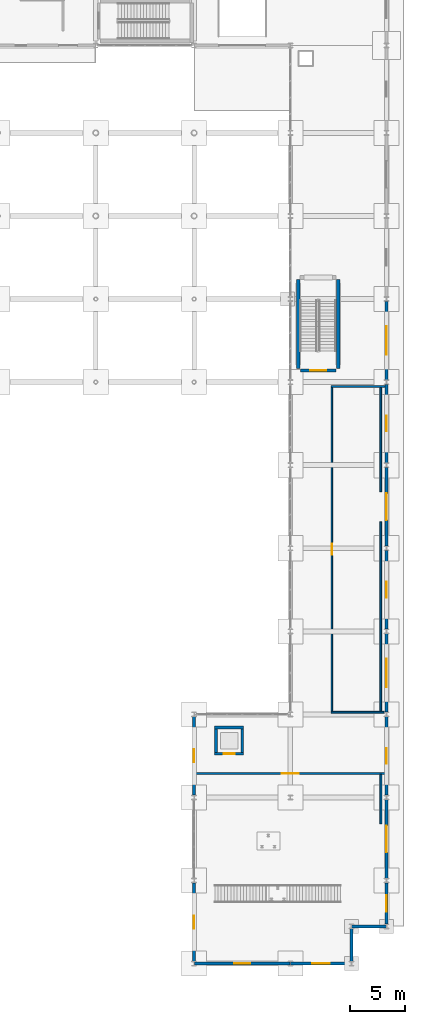
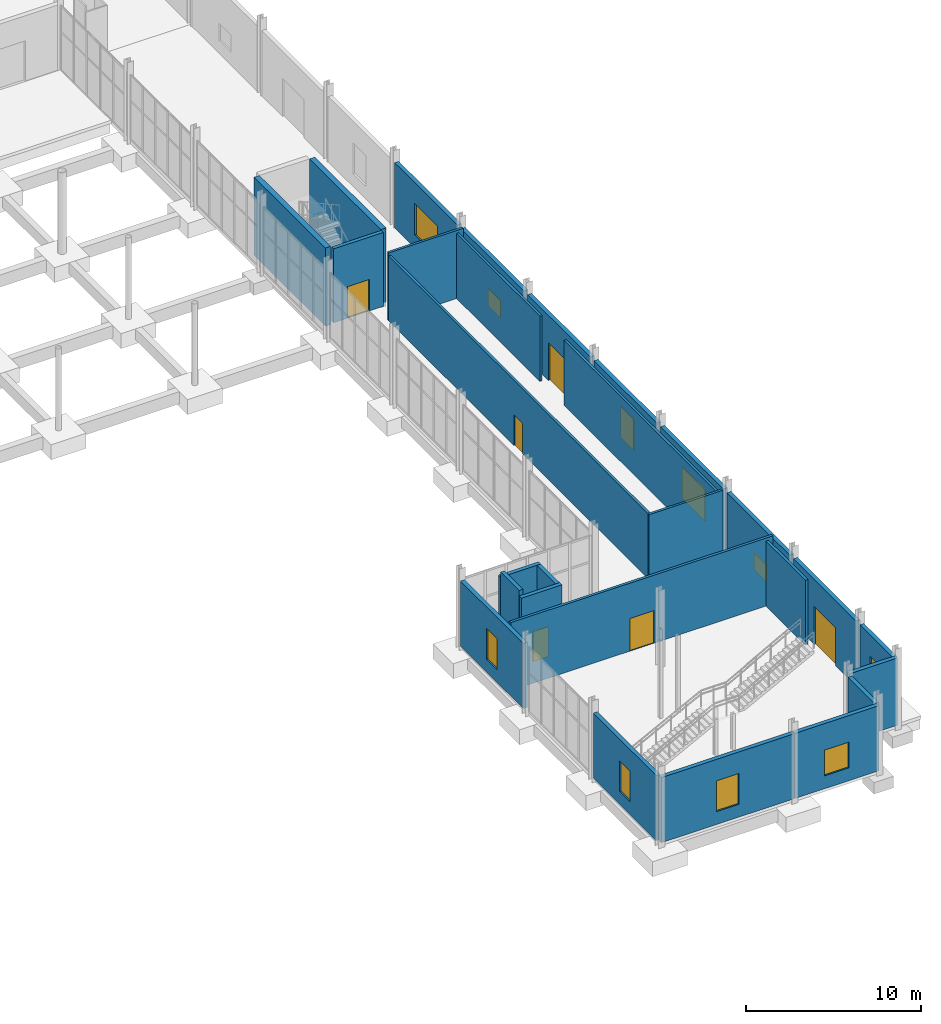
# One storey, part 78 of 95: 28 walls, 10 windows, 6 doors, 16 openings.
"""IFC4 building model written with IfcOpenShell, lengths in metres."""

from ifc_helpers import new_model, si_unit, direction, frame, frame_2d, origin, place, context, subcontext, project, spatial, rectangle, extrude, material, layer, layer_set, type_object, element, fill, save


model = new_model("IFC4")

# Units and contexts
model_context = context("Model", 3, precision=1e-05, world=origin(), true_north=direction((0.0, 1.0)))
body_context = subcontext(model_context, "Body", "Model", "MODEL_VIEW")
ifc_project = project(units=[si_unit("LENGTHUNIT", "METRE"), si_unit("AREAUNIT", "SQUARE_METRE"), si_unit("VOLUMEUNIT", "CUBIC_METRE"), si_unit("PLANEANGLEUNIT", "RADIAN"), si_unit("MASSUNIT", "GRAM", prefix="KILO")], contexts=[model_context])

# Site, building, storey
site_placement = place(None, origin())
site = spatial("IfcSite", under=ifc_project, at=site_placement, CompositionType="ELEMENT")
building_placement = place(site_placement, origin())
building = spatial("IfcBuilding", under=site, at=building_placement, Name="Shengluoqiao Park Theatre", CompositionType="ELEMENT")
storey_placement = place(building_placement, origin())
storey = spatial("IfcBuildingStorey", under=building, at=storey_placement, Name="L00", CompositionType="ELEMENT", Elevation=0.0)

# Wall, opening, window
ifc_material_1 = material(Name="Concrete C40", Category="concrete")
ifc_layer_1 = layer(ifc_material_1, 0.27001953125, Name="Concrete C40")
ifc_layer_set_1 = layer_set([ifc_layer_1], Name="Concrete C40")
wall_type_1 = type_object("IfcWallType", Name="ENV-WL-CONC270", PredefinedType="STANDARD", material=ifc_layer_set_1)
wall_1_placement = place(storey_placement, frame((166.0, 3.60400390625, 0.0), z_axis=(0.0, 0.0, 1.0), x_axis=(0.0, 1.0, 0.0)))
wall_1 = element("IfcWall", 1, at=wall_1_placement, inside=storey, type_object=wall_type_1, Name="L00 Exterior Wall 0171", PredefinedType="STANDARD", context=body_context, shape_type="SweptSolid", body=[
    extrude(rectangle(XDim=3.7919921875, YDim=0.27001953125, at=frame_2d((1.89599609375, 0.0))), origin(), (0.0, 0.0, 1.0), 4.550048828125),
])
opening_1_placement = place(wall_1_placement, frame((1.14599609375, 0.0, 0.89990234375)))
opening_1 = element("IfcOpeningElement", 2, at=opening_1_placement, cuts=wall_1, Name="Opening W-03", PredefinedType="OPENING", context=body_context, shape_type="SweptSolid", body=[
    extrude(rectangle(XDim=1.5, YDim=2.14990234375, at=frame_2d((0.75, 1.074951171875))), frame((0.0, 0.14501953125, 0.0), z_axis=(0.0, -1.0, 0.0), x_axis=(1.0, 0.0, 0.0)), (0.0, 0.0, 1.0), 0.2900390625),
])
ifc_material_2 = material(Name="Insulated glass", Category="glass")
window_type_1 = type_object("IfcWindowType", Name="ENV-WIN-W03", PartitioningType="DOUBLE_PANEL_VERTICAL", PredefinedType="WINDOW", material=ifc_material_2)
window_1_placement = place(opening_1_placement, origin())
window_1 = element("IfcWindow", 3, at=window_1_placement, inside=storey, type_object=window_type_1, Name="L00 Acoustic Window 0023", OverallHeight=2.14990234375, OverallWidth=1.5, PartitioningType="DOUBLE_PANEL_VERTICAL", PredefinedType="WINDOW", context=body_context, shape_type="SweptSolid", body=[
    extrude(rectangle(XDim=1.5, YDim=2.14990234375, at=frame_2d((0.75, 1.074951171875))), frame((0.0, 0.030029296875, 0.0), z_axis=(0.0, -1.0, 0.0), x_axis=(1.0, 0.0, 0.0)), (0.0, 0.0, 1.0), 0.06005859375),
])
fill(opening_1, window_1)

# Wall, opening, door
wall_2_placement = place(storey_placement, frame((166.0, 7.803955078125, 0.0), z_axis=(0.0, 0.0, 1.0), x_axis=(0.0, 1.0, 0.0)))
wall_2 = element("IfcWall", 4, at=wall_2_placement, inside=storey, type_object=wall_type_1, Name="L00 Exterior Wall 0172", PredefinedType="STANDARD", context=body_context, shape_type="SweptSolid", body=[
    extrude(rectangle(XDim=7.192138671875, YDim=0.27001953125, at=frame_2d((3.59619140625, 0.0))), origin(), (0.0, 0.0, 1.0), 4.550048828125),
])
opening_2_placement = place(wall_2_placement, frame((2.37109375, 0.0, 0.0)))
opening_2 = element("IfcOpeningElement", 5, at=opening_2_placement, cuts=wall_2, Name="Opening ED-ART-018", PredefinedType="OPENING", context=body_context, shape_type="SweptSolid", body=[
    extrude(rectangle(XDim=2.449951171875, YDim=2.64990234375, at=frame_2d((1.22509765625, 1.324951171875))), frame((0.0, 0.14501953125, 0.0), z_axis=(0.0, -1.0, 0.0), x_axis=(1.0, 0.0, 0.0)), (0.0, 0.0, 1.0), 0.2900390625),
])
ifc_material_3 = material(Name="Aluminium 6063-T6", Category="aluminium")
door_type_1 = type_object("IfcDoorType", Name="ENV-DR-EX245", OperationType="DOUBLE_DOOR_SINGLE_SWING", PredefinedType="DOOR", material=ifc_material_3)
door_1_placement = place(opening_2_placement, origin())
door_1 = element("IfcDoor", 6, at=door_1_placement, inside=storey, type_object=door_type_1, Name="Artist Stage-Door Entrance ED-ART-018", OperationType="DOUBLE_DOOR_SINGLE_SWING", OverallHeight=2.64990234375, OverallWidth=2.449951171875, PredefinedType="DOOR", context=body_context, shape_type="SweptSolid", body=[
    extrude(rectangle(XDim=2.449951171875, YDim=2.64990234375, at=frame_2d((1.22509765625, 1.324951171875))), frame((0.0, 0.02490234375, 0.0), z_axis=(0.0, -1.0, 0.0), x_axis=(1.0, 0.0, 0.0)), (0.0, 0.0, 1.0), 0.050048828125),
])
fill(opening_2, door_1)

# Wall, opening, window
wall_3_placement = place(storey_placement, frame((166.0, 15.404052734375, 0.0), z_axis=(0.0, 0.0, 1.0), x_axis=(0.0, 1.0, 0.0)))
wall_3 = element("IfcWall", 7, at=wall_3_placement, inside=storey, type_object=wall_type_1, Name="L00 Exterior Wall 0173", PredefinedType="STANDARD", context=body_context, shape_type="SweptSolid", body=[
    extrude(rectangle(XDim=7.19189453125, YDim=0.27001953125, at=frame_2d((3.595947265625, 0.0))), origin(), (0.0, 0.0, 1.0), 4.550048828125),
])
opening_3_placement = place(wall_3_placement, frame((2.89599609375, 0.0, 0.89990234375)))
opening_3 = element("IfcOpeningElement", 8, at=opening_3_placement, cuts=wall_3, Name="Opening W-12", PredefinedType="OPENING", context=body_context, shape_type="SweptSolid", body=[
    extrude(rectangle(XDim=1.39990234375, YDim=1.199951171875, at=frame_2d((0.699951171875, 0.60009765625))), frame((0.0, 0.14501953125, 0.0), z_axis=(0.0, -1.0, 0.0), x_axis=(1.0, 0.0, 0.0)), (0.0, 0.0, 1.0), 0.2900390625),
])
window_type_2 = type_object("IfcWindowType", Name="ENV-WIN-W12", PartitioningType="SINGLE_PANEL", PredefinedType="WINDOW", material=ifc_material_2)
window_2_placement = place(opening_3_placement, origin())
window_2 = element("IfcWindow", 9, at=window_2_placement, inside=storey, type_object=window_type_2, Name="L00 Acoustic Window 0024", OverallHeight=1.199951171875, OverallWidth=1.39990234375, PartitioningType="SINGLE_PANEL", PredefinedType="WINDOW", context=body_context, shape_type="SweptSolid", body=[
    extrude(rectangle(XDim=1.39990234375, YDim=1.199951171875, at=frame_2d((0.699951171875, 0.60009765625))), frame((0.0, 0.030029296875, 0.0), z_axis=(0.0, -1.0, 0.0), x_axis=(1.0, 0.0, 0.0)), (0.0, 0.0, 1.0), 0.06005859375),
])
fill(opening_3, window_2)

wall_4_placement = place(storey_placement, frame((166.0, 23.00390625, 0.0), z_axis=(0.0, 0.0, 1.0), x_axis=(0.0, 1.0, 0.0)))
wall_4 = element("IfcWall", 10, at=wall_4_placement, inside=storey, type_object=wall_type_1, Name="L00 Exterior Wall 0174", PredefinedType="STANDARD", context=body_context, shape_type="SweptSolid", body=[
    extrude(rectangle(XDim=7.192138671875, YDim=0.27001953125, at=frame_2d((3.59619140625, 0.0))), origin(), (0.0, 0.0, 1.0), 4.550048828125),
])
opening_4_placement = place(wall_4_placement, frame((2.2958984375, 0.0, 0.89990234375)))
opening_4 = element("IfcOpeningElement", 11, at=opening_4_placement, cuts=wall_4, Name="Opening W-14", PredefinedType="OPENING", context=body_context, shape_type="SweptSolid", body=[
    extrude(rectangle(XDim=2.60009765625, YDim=2.199951171875, at=frame_2d((1.300048828125, 1.10009765625))), frame((0.0, 0.14501953125, 0.0), z_axis=(0.0, -1.0, 0.0), x_axis=(1.0, 0.0, 0.0)), (0.0, 0.0, 1.0), 0.2900390625),
])
window_type_3 = type_object("IfcWindowType", Name="ENV-WIN-W14", PartitioningType="DOUBLE_PANEL_VERTICAL", PredefinedType="WINDOW", material=ifc_material_2)
window_3_placement = place(opening_4_placement, origin())
window_3 = element("IfcWindow", 12, at=window_3_placement, inside=storey, type_object=window_type_3, Name="L00 Acoustic Window 0025", OverallHeight=2.199951171875, OverallWidth=2.60009765625, PartitioningType="DOUBLE_PANEL_VERTICAL", PredefinedType="WINDOW", context=body_context, shape_type="SweptSolid", body=[
    extrude(rectangle(XDim=2.60009765625, YDim=2.199951171875, at=frame_2d((1.300048828125, 1.10009765625))), frame((0.0, 0.030029296875, 0.0), z_axis=(0.0, -1.0, 0.0), x_axis=(1.0, 0.0, 0.0)), (0.0, 0.0, 1.0), 0.06005859375),
])
fill(opening_4, window_3)

wall_5_placement = place(storey_placement, frame((166.0, 30.60400390625, 0.0), z_axis=(0.0, 0.0, 1.0), x_axis=(0.0, 1.0, 0.0)))
wall_5 = element("IfcWall", 13, at=wall_5_placement, inside=storey, type_object=wall_type_1, Name="L00 Exterior Wall 0175", PredefinedType="STANDARD", context=body_context, shape_type="SweptSolid", body=[
    extrude(rectangle(XDim=7.19189453125, YDim=0.27001953125, at=frame_2d((3.595947265625, 0.0))), origin(), (0.0, 0.0, 1.0), 4.550048828125),
])
opening_5_placement = place(wall_5_placement, frame((2.845947265625, 0.0, 0.89990234375)))
opening_5 = element("IfcOpeningElement", 14, at=opening_5_placement, cuts=wall_5, Name="Opening W-03", PredefinedType="OPENING", context=body_context, shape_type="SweptSolid", body=[
    extrude(rectangle(XDim=1.5, YDim=2.14990234375, at=frame_2d((0.75, 1.074951171875))), frame((0.0, 0.14501953125, 0.0), z_axis=(0.0, -1.0, 0.0), x_axis=(1.0, 0.0, 0.0)), (0.0, 0.0, 1.0), 0.2900390625),
])
window_4_placement = place(opening_5_placement, origin())
window_4 = element("IfcWindow", 15, at=window_4_placement, inside=storey, type_object=window_type_1, Name="L00 Acoustic Window 0026", OverallHeight=2.14990234375, OverallWidth=1.5, PartitioningType="DOUBLE_PANEL_VERTICAL", PredefinedType="WINDOW", context=body_context, shape_type="SweptSolid", body=[
    extrude(rectangle(XDim=1.5, YDim=2.14990234375, at=frame_2d((0.75, 1.074951171875))), frame((0.0, 0.030029296875, 0.0), z_axis=(0.0, -1.0, 0.0), x_axis=(1.0, 0.0, 0.0)), (0.0, 0.0, 1.0), 0.06005859375),
])
fill(opening_5, window_4)

# Wall, opening, door
wall_6_placement = place(storey_placement, frame((166.0, 38.2041015625, 0.0), z_axis=(0.0, 0.0, 1.0), x_axis=(0.0, 1.0, 0.0)))
wall_6 = element("IfcWall", 16, at=wall_6_placement, inside=storey, type_object=wall_type_1, Name="L00 Exterior Wall 0176", PredefinedType="STANDARD", context=body_context, shape_type="SweptSolid", body=[
    extrude(rectangle(XDim=7.19189453125, YDim=0.27001953125, at=frame_2d((3.595947265625, 0.0))), origin(), (0.0, 0.0, 1.0), 4.550048828125),
])
opening_6_placement = place(wall_6_placement, frame((2.37109375, 0.0, 0.0)))
opening_6 = element("IfcOpeningElement", 17, at=opening_6_placement, cuts=wall_6, Name="Opening ED-ART-019", PredefinedType="OPENING", context=body_context, shape_type="SweptSolid", body=[
    extrude(rectangle(XDim=2.449951171875, YDim=2.64990234375, at=frame_2d((1.22509765625, 1.324951171875))), frame((0.0, 0.14501953125, 0.0), z_axis=(0.0, -1.0, 0.0), x_axis=(1.0, 0.0, 0.0)), (0.0, 0.0, 1.0), 0.2900390625),
])
door_2_placement = place(opening_6_placement, origin())
door_2 = element("IfcDoor", 18, at=door_2_placement, inside=storey, type_object=door_type_1, Name="Artist Stage-Door Entrance ED-ART-019", OperationType="DOUBLE_DOOR_SINGLE_SWING", OverallHeight=2.64990234375, OverallWidth=2.449951171875, PredefinedType="DOOR", context=body_context, shape_type="SweptSolid", body=[
    extrude(rectangle(XDim=2.449951171875, YDim=2.64990234375, at=frame_2d((1.22509765625, 1.324951171875))), frame((0.0, 0.02490234375, 0.0), z_axis=(0.0, -1.0, 0.0), x_axis=(1.0, 0.0, 0.0)), (0.0, 0.0, 1.0), 0.050048828125),
])
fill(opening_6, door_2)

# Wall, opening, window
wall_7_placement = place(storey_placement, frame((166.0, 45.803955078125, 0.0), z_axis=(0.0, 0.0, 1.0), x_axis=(0.0, 1.0, 0.0)))
wall_7 = element("IfcWall", 19, at=wall_7_placement, inside=storey, type_object=wall_type_1, Name="L00 Exterior Wall 0177", PredefinedType="STANDARD", context=body_context, shape_type="SweptSolid", body=[
    extrude(rectangle(XDim=7.192138671875, YDim=0.27001953125, at=frame_2d((3.59619140625, 0.0))), origin(), (0.0, 0.0, 1.0), 4.550048828125),
])
opening_7_placement = place(wall_7_placement, frame((2.89599609375, 0.0, 0.89990234375)))
opening_7 = element("IfcOpeningElement", 20, at=opening_7_placement, cuts=wall_7, Name="Opening W-12", PredefinedType="OPENING", context=body_context, shape_type="SweptSolid", body=[
    extrude(rectangle(XDim=1.39990234375, YDim=1.199951171875, at=frame_2d((0.699951171875, 0.60009765625))), frame((0.0, 0.14501953125, 0.0), z_axis=(0.0, -1.0, 0.0), x_axis=(1.0, 0.0, 0.0)), (0.0, 0.0, 1.0), 0.2900390625),
])
window_5_placement = place(opening_7_placement, origin())
window_5 = element("IfcWindow", 21, at=window_5_placement, inside=storey, type_object=window_type_2, Name="L00 Acoustic Window 0027", OverallHeight=1.199951171875, OverallWidth=1.39990234375, PartitioningType="SINGLE_PANEL", PredefinedType="WINDOW", context=body_context, shape_type="SweptSolid", body=[
    extrude(rectangle(XDim=1.39990234375, YDim=1.199951171875, at=frame_2d((0.699951171875, 0.60009765625))), frame((0.0, 0.030029296875, 0.0), z_axis=(0.0, -1.0, 0.0), x_axis=(1.0, 0.0, 0.0)), (0.0, 0.0, 1.0), 0.06005859375),
])
fill(opening_7, window_5)

wall_8_placement = place(storey_placement, frame((166.0, 53.404052734375, 0.0), z_axis=(0.0, 0.0, 1.0), x_axis=(0.0, 1.0, 0.0)))
wall_8 = element("IfcWall", 22, at=wall_8_placement, inside=storey, type_object=wall_type_1, Name="L00 Exterior Wall 0178", PredefinedType="STANDARD", context=body_context, shape_type="SweptSolid", body=[
    extrude(rectangle(XDim=7.19189453125, YDim=0.27001953125, at=frame_2d((3.595947265625, 0.0))), origin(), (0.0, 0.0, 1.0), 4.550048828125),
])
opening_8_placement = place(wall_8_placement, frame((2.2958984375, 0.0, 0.89990234375)))
opening_8 = element("IfcOpeningElement", 23, at=opening_8_placement, cuts=wall_8, Name="Opening W-14", PredefinedType="OPENING", context=body_context, shape_type="SweptSolid", body=[
    extrude(rectangle(XDim=2.60009765625, YDim=2.199951171875, at=frame_2d((1.300048828125, 1.10009765625))), frame((0.0, 0.14501953125, 0.0), z_axis=(0.0, -1.0, 0.0), x_axis=(1.0, 0.0, 0.0)), (0.0, 0.0, 1.0), 0.2900390625),
])
window_6_placement = place(opening_8_placement, origin())
window_6 = element("IfcWindow", 24, at=window_6_placement, inside=storey, type_object=window_type_3, Name="L00 Acoustic Window 0028", OverallHeight=2.199951171875, OverallWidth=2.60009765625, PartitioningType="DOUBLE_PANEL_VERTICAL", PredefinedType="WINDOW", context=body_context, shape_type="SweptSolid", body=[
    extrude(rectangle(XDim=2.60009765625, YDim=2.199951171875, at=frame_2d((1.300048828125, 1.10009765625))), frame((0.0, 0.030029296875, 0.0), z_axis=(0.0, -1.0, 0.0), x_axis=(1.0, 0.0, 0.0)), (0.0, 0.0, 1.0), 0.06005859375),
])
fill(opening_8, window_6)

wall_9_placement = place(storey_placement, frame((148.41357421875, 0.0, 0.0), z_axis=(0.0, 0.0, 1.0), x_axis=(1.0, 0.0, 0.0)))
wall_9 = element("IfcWall", 25, at=wall_9_placement, inside=storey, type_object=wall_type_1, Name="L00 Exterior Wall 0275", PredefinedType="STANDARD", context=body_context, shape_type="SweptSolid", body=[
    extrude(rectangle(XDim=8.77294921875, YDim=0.27001953125, at=frame_2d((4.386474609375, 0.0))), origin(), (0.0, 0.0, 1.0), 4.550048828125),
])
opening_9_placement = place(wall_9_placement, frame((3.636474609375, 0.0, 0.89990234375)))
opening_9 = element("IfcOpeningElement", 26, at=opening_9_placement, cuts=wall_9, Name="Opening W-03", PredefinedType="OPENING", context=body_context, shape_type="SweptSolid", body=[
    extrude(rectangle(XDim=1.5, YDim=2.14990234375, at=frame_2d((0.75, 1.074951171875))), frame((0.0, 0.14501953125, 0.0), z_axis=(0.0, -1.0, 0.0), x_axis=(1.0, 0.0, 0.0)), (0.0, 0.0, 1.0), 0.2900390625),
])
window_7_placement = place(opening_9_placement, origin())
window_7 = element("IfcWindow", 27, at=window_7_placement, inside=storey, type_object=window_type_1, Name="L00 Acoustic Window 0113", OverallHeight=2.14990234375, OverallWidth=1.5, PartitioningType="DOUBLE_PANEL_VERTICAL", PredefinedType="WINDOW", context=body_context, shape_type="SweptSolid", body=[
    extrude(rectangle(XDim=1.5, YDim=2.14990234375, at=frame_2d((0.75, 1.074951171875))), frame((0.0, 0.030029296875, 0.0), z_axis=(0.0, -1.0, 0.0), x_axis=(1.0, 0.0, 0.0)), (0.0, 0.0, 1.0), 0.06005859375),
])
fill(opening_9, window_7)

wall_10_placement = place(storey_placement, frame((157.21337890625, 0.0, 0.0), z_axis=(0.0, 0.0, 1.0), x_axis=(1.0, 0.0, 0.0)))
wall_10 = element("IfcWall", 28, at=wall_10_placement, inside=storey, type_object=wall_type_1, Name="L00 Exterior Wall 0276", PredefinedType="STANDARD", context=body_context, shape_type="SweptSolid", body=[
    extrude(rectangle(XDim=5.5732421875, YDim=0.27001953125, at=frame_2d((2.78662109375, 0.0))), origin(), (0.0, 0.0, 1.0), 4.550048828125),
])
opening_10_placement = place(wall_10_placement, frame((1.986572265625, 0.0, 0.89990234375)))
opening_10 = element("IfcOpeningElement", 29, at=opening_10_placement, cuts=wall_10, Name="Opening W-06", PredefinedType="OPENING", context=body_context, shape_type="SweptSolid", body=[
    extrude(rectangle(XDim=1.60009765625, YDim=1.800048828125, at=frame_2d((0.800048828125, 0.89990234375))), frame((0.0, 0.14501953125, 0.0), z_axis=(0.0, -1.0, 0.0), x_axis=(1.0, 0.0, 0.0)), (0.0, 0.0, 1.0), 0.2900390625),
])
window_type_4 = type_object("IfcWindowType", Name="ENV-WIN-W06", PartitioningType="DOUBLE_PANEL_VERTICAL", PredefinedType="WINDOW", material=ifc_material_2)
window_8_placement = place(opening_10_placement, origin())
window_8 = element("IfcWindow", 30, at=window_8_placement, inside=storey, type_object=window_type_4, Name="L00 Acoustic Window 0114", OverallHeight=1.800048828125, OverallWidth=1.60009765625, PartitioningType="DOUBLE_PANEL_VERTICAL", PredefinedType="WINDOW", context=body_context, shape_type="SweptSolid", body=[
    extrude(rectangle(XDim=1.60009765625, YDim=1.800048828125, at=frame_2d((0.800048828125, 0.89990234375))), frame((0.0, 0.030029296875, 0.0), z_axis=(0.0, -1.0, 0.0), x_axis=(1.0, 0.0, 0.0)), (0.0, 0.0, 1.0), 0.06005859375),
])
fill(opening_10, window_8)

# Walls
wall_11_placement = place(storey_placement, frame((162.800048828125, 0.2041015625, 0.0), z_axis=(0.0, 0.0, 1.0), x_axis=(0.0, 1.0, 0.0)))
element("IfcWall", 31, at=wall_11_placement, inside=storey, type_object=wall_type_1, Name="L00 Exterior Wall 0277", PredefinedType="STANDARD", context=body_context, shape_type="SweptSolid", body=[
    extrude(rectangle(XDim=2.991943359375, YDim=0.27001953125, at=frame_2d((1.49609375, 0.0))), origin(), (0.0, 0.0, 1.0), 4.550048828125),
])
wall_12_placement = place(storey_placement, frame((162.8134765625, 3.39990234375, 0.0), z_axis=(0.0, 0.0, 1.0), x_axis=(1.0, 0.0, 0.0)))
element("IfcWall", 32, at=wall_12_placement, inside=storey, type_object=wall_type_1, Name="L00 Exterior Wall 0278", PredefinedType="STANDARD", context=body_context, shape_type="SweptSolid", body=[
    extrude(rectangle(XDim=3.173095703125, YDim=0.27001953125, at=frame_2d((1.58642578125, 0.0))), origin(), (0.0, 0.0, 1.0), 4.697998046875),
])

# Wall, opening, window
wall_13_placement = place(storey_placement, frame((148.39990234375, 0.2041015625, 0.0), z_axis=(0.0, 0.0, 1.0), x_axis=(0.0, 1.0, 0.0)))
wall_13 = element("IfcWall", 33, at=wall_13_placement, inside=storey, type_object=wall_type_1, Name="L00 Exterior Wall 0279", PredefinedType="STANDARD", context=body_context, shape_type="SweptSolid", body=[
    extrude(rectangle(XDim=7.19189453125, YDim=0.27001953125, at=frame_2d((3.595947265625, 0.0))), origin(), (0.0, 0.0, 1.0), 4.550048828125),
])
opening_11_placement = place(wall_13_placement, frame((2.99609375, 0.0, 0.89990234375)))
opening_11 = element("IfcOpeningElement", 34, at=opening_11_placement, cuts=wall_13, Name="Opening W-04", PredefinedType="OPENING", context=body_context, shape_type="SweptSolid", body=[
    extrude(rectangle(XDim=1.199951171875, YDim=2.14990234375, at=frame_2d((0.60009765625, 1.074951171875))), frame((0.0, 0.14501953125, 0.0), z_axis=(0.0, -1.0, 0.0), x_axis=(1.0, 0.0, 0.0)), (0.0, 0.0, 1.0), 0.2900390625),
])
window_type_5 = type_object("IfcWindowType", Name="ENV-WIN-W04", PartitioningType="SINGLE_PANEL", PredefinedType="WINDOW", material=ifc_material_2)
window_9_placement = place(opening_11_placement, origin())
window_9 = element("IfcWindow", 35, at=window_9_placement, inside=storey, type_object=window_type_5, Name="L00 Acoustic Window 0115", OverallHeight=2.14990234375, OverallWidth=1.199951171875, PartitioningType="SINGLE_PANEL", PredefinedType="WINDOW", context=body_context, shape_type="SweptSolid", body=[
    extrude(rectangle(XDim=1.199951171875, YDim=2.14990234375, at=frame_2d((0.60009765625, 1.074951171875))), frame((0.0, 0.030029296875, 0.0), z_axis=(0.0, -1.0, 0.0), x_axis=(1.0, 0.0, 0.0)), (0.0, 0.0, 1.0), 0.06005859375),
])
fill(opening_11, window_9)

wall_14_placement = place(storey_placement, frame((148.39990234375, 15.404052734375, 0.0), z_axis=(0.0, 0.0, 1.0), x_axis=(0.0, 1.0, 0.0)))
wall_14 = element("IfcWall", 36, at=wall_14_placement, inside=storey, type_object=wall_type_1, Name="L00 Exterior Wall 0280", PredefinedType="STANDARD", context=body_context, shape_type="SweptSolid", body=[
    extrude(rectangle(XDim=7.19189453125, YDim=0.27001953125, at=frame_2d((3.595947265625, 0.0))), origin(), (0.0, 0.0, 1.0), 4.550048828125),
])
opening_12_placement = place(wall_14_placement, frame((2.99609375, 0.0, 0.89990234375)))
opening_12 = element("IfcOpeningElement", 37, at=opening_12_placement, cuts=wall_14, Name="Opening W-04", PredefinedType="OPENING", context=body_context, shape_type="SweptSolid", body=[
    extrude(rectangle(XDim=1.199951171875, YDim=2.14990234375, at=frame_2d((0.60009765625, 1.074951171875))), frame((0.0, 0.14501953125, 0.0), z_axis=(0.0, -1.0, 0.0), x_axis=(1.0, 0.0, 0.0)), (0.0, 0.0, 1.0), 0.2900390625),
])
window_10_placement = place(opening_12_placement, origin())
window_10 = element("IfcWindow", 38, at=window_10_placement, inside=storey, type_object=window_type_5, Name="L00 Acoustic Window 0116", OverallHeight=2.14990234375, OverallWidth=1.199951171875, PartitioningType="SINGLE_PANEL", PredefinedType="WINDOW", context=body_context, shape_type="SweptSolid", body=[
    extrude(rectangle(XDim=1.199951171875, YDim=2.14990234375, at=frame_2d((0.60009765625, 1.074951171875))), frame((0.0, 0.030029296875, 0.0), z_axis=(0.0, -1.0, 0.0), x_axis=(1.0, 0.0, 0.0)), (0.0, 0.0, 1.0), 0.06005859375),
])
fill(opening_12, window_10)

# Wall, opening, door
ifc_material_4 = material(Name="Gypsum acoustic stud", Category="gypsum")
ifc_layer_2 = layer(ifc_material_4, 0.175048828125, Name="Gypsum acoustic stud")
ifc_layer_set_2 = layer_set([ifc_layer_2], Name="Gypsum acoustic stud")
wall_type_2 = type_object("IfcWallType", Name="INT-WL-COR175", PredefinedType="PARTITIONING", material=ifc_layer_set_2)
wall_15_placement = place(storey_placement, frame((148.54296875, 17.39990234375, 0.0), z_axis=(0.0, 0.0, 1.0), x_axis=(1.0, 0.0, 0.0)))
wall_15 = element("IfcWall", 39, at=wall_15_placement, inside=storey, type_object=wall_type_2, Name="Artist Stage-Door Reception Salon Partition N", PredefinedType="PARTITIONING", context=body_context, shape_type="SweptSolid", body=[
    extrude(rectangle(XDim=17.31396484375, YDim=0.175048828125, at=frame_2d((8.656982421875, 0.0))), origin(), (0.0, 0.0, 1.0), 4.748046875),
])
opening_13_placement = place(wall_15_placement, frame((7.866943359375, 0.0, 0.0)))
opening_13 = element("IfcOpeningElement", 40, at=opening_13_placement, cuts=wall_15, Name="Opening D-L00-034", PredefinedType="OPENING", context=body_context, shape_type="SweptSolid", body=[
    extrude(rectangle(XDim=1.580078125, YDim=2.280029296875, at=frame_2d((0.7900390625, 1.14013671875))), frame((0.0, 0.097412109375, 0.0), z_axis=(0.0, -1.0, 0.0), x_axis=(1.0, 0.0, 0.0)), (0.0, 0.0, 1.0), 0.195068359375),
])
door_type_2 = type_object("IfcDoorType", Name="INT-DR-FOY158", OperationType="DOUBLE_DOOR_SINGLE_SWING", PredefinedType="DOOR", material=ifc_material_3)
door_3_placement = place(opening_13_placement, origin())
door_3 = element("IfcDoor", 41, at=door_3_placement, inside=storey, type_object=door_type_2, Name="Artist Stage-Door Reception Salon Door D-L00-034", OperationType="DOUBLE_DOOR_SINGLE_SWING", OverallHeight=2.280029296875, OverallWidth=1.580078125, PredefinedType="DOOR", context=body_context, shape_type="SweptSolid", body=[
    extrude(rectangle(XDim=1.580078125, YDim=2.280029296875, at=frame_2d((0.7900390625, 1.14013671875))), frame((0.0, 0.02490234375, 0.0), z_axis=(0.0, -1.0, 0.0), x_axis=(1.0, 0.0, 0.0)), (0.0, 0.0, 1.0), 0.050048828125),
])
fill(opening_13, door_3)

# Walls
wall_16_placement = place(storey_placement, frame((165.47998046875, 12.784912109375, 0.0), z_axis=(0.0, 0.0, 1.0), x_axis=(0.0, 1.0, 0.0)))
element("IfcWall", 42, at=wall_16_placement, inside=storey, type_object=wall_type_2, Name="Artist Stage-Door Reception Salon Partition E", PredefinedType="PARTITIONING", context=body_context, shape_type="SweptSolid", body=[
    extrude(rectangle(XDim=4.521484375, YDim=0.175048828125, at=frame_2d((2.2607421875, 0.0))), origin(), (0.0, 0.0, 1.0), 4.550048828125),
])
ifc_layer_3 = layer(ifc_material_4, 0.155029296875, Name="Gypsum acoustic stud")
ifc_layer_set_3 = layer_set([ifc_layer_3], Name="Gypsum acoustic stud")
wall_type_3 = type_object("IfcWallType", Name="INT-WL-DRS155", PredefinedType="PARTITIONING", material=ifc_layer_set_3)
wall_17_placement = place(storey_placement, frame((160.922607421875, 23.0, 0.0), z_axis=(0.0, 0.0, 1.0), x_axis=(1.0, 0.0, 0.0)))
element("IfcWall", 43, at=wall_17_placement, inside=storey, type_object=wall_type_3, Name="East Park Artist Gallery Spine Partition S", PredefinedType="PARTITIONING", context=body_context, shape_type="SweptSolid", body=[
    extrude(rectangle(XDim=4.865478515625, YDim=0.155029296875, at=frame_2d((2.4326171875, 0.0))), origin(), (0.0, 0.0, 1.0), 4.550048828125),
])
wall_18_placement = place(storey_placement, frame((160.922607421875, 52.800048828125, 0.0), z_axis=(0.0, 0.0, 1.0), x_axis=(1.0, 0.0, 0.0)))
element("IfcWall", 44, at=wall_18_placement, inside=storey, type_object=wall_type_3, Name="East Park Artist Gallery Spine Partition N", PredefinedType="PARTITIONING", context=body_context, shape_type="SweptSolid", body=[
    extrude(rectangle(XDim=4.934326171875, YDim=0.155029296875, at=frame_2d((2.46728515625, 0.0))), origin(), (0.0, 0.0, 1.0), 4.748046875),
])

# Wall, opening, door
wall_19_placement = place(storey_placement, frame((161.0, 23.08349609375, 0.0), z_axis=(0.0, 0.0, 1.0), x_axis=(0.0, 1.0, 0.0)))
wall_19 = element("IfcWall", 45, at=wall_19_placement, inside=storey, type_object=wall_type_3, Name="East Park Artist Gallery Spine Partition W", PredefinedType="PARTITIONING", context=body_context, shape_type="SweptSolid", body=[
    extrude(rectangle(XDim=29.633056640625, YDim=0.155029296875, at=frame_2d((14.81640625, 0.0))), origin(), (0.0, 0.0, 1.0), 4.550048828125),
])
opening_14_placement = place(wall_19_placement, frame((14.326416015625, 0.0, 0.0)))
opening_14 = element("IfcOpeningElement", 46, at=opening_14_placement, cuts=wall_19, Name="Opening D-L00-033", PredefinedType="OPENING", context=body_context, shape_type="SweptSolid", body=[
    extrude(rectangle(XDim=0.97998046875, YDim=2.14990234375, at=frame_2d((0.489990234375, 1.074951171875))), frame((0.0, 0.08740234375, 0.0), z_axis=(0.0, -1.0, 0.0), x_axis=(1.0, 0.0, 0.0)), (0.0, 0.0, 1.0), 0.175048828125),
])
ifc_material_5 = material(Name="Timber veneer", Category="wood")
door_type_3 = type_object("IfcDoorType", Name="INT-DR-SNG098", OperationType="NOTDEFINED", PredefinedType="DOOR", material=ifc_material_5)
door_4_placement = place(opening_14_placement, origin())
door_4 = element("IfcDoor", 47, at=door_4_placement, inside=storey, type_object=door_type_3, Name="East Park Artist Gallery Spine Door D-L00-033", OperationType="SINGLE_SWING_RIGHT", OverallHeight=2.14990234375, OverallWidth=0.97998046875, PredefinedType="DOOR", context=body_context, shape_type="SweptSolid", body=[
    extrude(rectangle(XDim=0.97998046875, YDim=2.14990234375, at=frame_2d((0.489990234375, 1.074951171875))), frame((0.0, 0.02490234375, 0.0), z_axis=(0.0, -1.0, 0.0), x_axis=(1.0, 0.0, 0.0)), (0.0, 0.0, 1.0), 0.050048828125),
])
fill(opening_14, door_4)

# Walls
wall_20_placement = place(storey_placement, frame((165.47998046875, 23.08349609375, 0.0), z_axis=(0.0, 0.0, 1.0), x_axis=(0.0, 1.0, 0.0)))
element("IfcWall", 48, at=wall_20_placement, inside=storey, type_object=wall_type_3, Name="East Park Artist Gallery Spine Partition E", PredefinedType="PARTITIONING", context=body_context, shape_type="SweptSolid", body=[
    extrude(rectangle(XDim=17.33154296875, YDim=0.155029296875, at=frame_2d((8.665771484375, 0.0))), origin(), (0.0, 0.0, 1.0), 4.550048828125),
])
wall_21_placement = place(storey_placement, frame((165.47998046875, 43.18505859375, 0.0), z_axis=(0.0, 0.0, 1.0), x_axis=(0.0, 1.0, 0.0)))
element("IfcWall", 49, at=wall_21_placement, inside=storey, type_object=wall_type_3, Name="East Park Artist Gallery Spine Partition E", PredefinedType="PARTITIONING", context=body_context, shape_type="SweptSolid", body=[
    extrude(rectangle(XDim=9.531494140625, YDim=0.155029296875, at=frame_2d((4.765625, 0.0))), origin(), (0.0, 0.0, 1.0), 4.550048828125),
])

# Wall, opening, door
ifc_layer_4 = layer(ifc_material_1, 0.260009765625, Name="Concrete C40")
ifc_layer_set_4 = layer_set([ifc_layer_4], Name="Concrete C40")
wall_type_4 = type_object("IfcWallType", Name="INT-WL-SHF260", PredefinedType="STANDARD", material=ifc_layer_set_4)
wall_22_placement = place(storey_placement, frame((150.27001953125, 19.199951171875, 0.0), z_axis=(0.0, 0.0, 1.0), x_axis=(1.0, 0.0, 0.0)))
wall_22 = element("IfcWall", 50, at=wall_22_placement, inside=storey, type_object=wall_type_4, Name="L00 SL2 Lift Shaft Wall South", PredefinedType="STANDARD", context=body_context, shape_type="SweptSolid", body=[
    extrude(rectangle(XDim=2.659912109375, YDim=0.260009765625, at=frame_2d((1.330078125, 0.0))), origin(), (0.0, 0.0, 1.0), 4.7880859375),
])
opening_15_placement = place(wall_22_placement, frame((0.820068359375, 0.0, 0.0)))
opening_15 = element("IfcOpeningElement", 51, at=opening_15_placement, cuts=wall_22, Name="Opening LD-SL2-L00", PredefinedType="OPENING", context=body_context, shape_type="SweptSolid", body=[
    extrude(rectangle(XDim=1.02001953125, YDim=2.10009765625, at=frame_2d((0.510009765625, 1.050048828125))), frame((0.0, 0.139892578125, 0.0), z_axis=(0.0, -1.0, 0.0), x_axis=(1.0, 0.0, 0.0)), (0.0, 0.0, 1.0), 0.280029296875),
])
ifc_material_6 = material(Name="Stainless steel 304", Category="steel")
door_type_4 = type_object("IfcDoorType", Name="INT-DR-LD102", OperationType="SLIDING_TO_LEFT", PredefinedType="DOOR", material=ifc_material_6)
door_5_placement = place(opening_15_placement, origin())
door_5 = element("IfcDoor", 52, at=door_5_placement, inside=storey, type_object=door_type_4, Name="SL2 Lift Landing Door LD-SL2-L00", OperationType="SLIDING_TO_RIGHT", OverallHeight=2.10009765625, OverallWidth=1.02001953125, PredefinedType="DOOR", context=body_context, shape_type="SweptSolid", body=[
    extrude(rectangle(XDim=1.02001953125, YDim=2.10009765625, at=frame_2d((0.510009765625, 1.050048828125))), frame((0.0, 0.02490234375, 0.0), z_axis=(0.0, -1.0, 0.0), x_axis=(1.0, 0.0, 0.0)), (0.0, 0.0, 1.0), 0.050048828125),
])
fill(opening_15, door_5)

# Walls
wall_23_placement = place(storey_placement, frame((150.27001953125, 21.60009765625, 0.0), z_axis=(0.0, 0.0, 1.0), x_axis=(1.0, 0.0, 0.0)))
element("IfcWall", 53, at=wall_23_placement, inside=storey, type_object=wall_type_4, Name="L00 SL2 Lift Shaft Wall North", PredefinedType="STANDARD", context=body_context, shape_type="SweptSolid", body=[
    extrude(rectangle(XDim=2.659912109375, YDim=0.260009765625, at=frame_2d((1.330078125, 0.0))), origin(), (0.0, 0.0, 1.0), 4.7880859375),
])
wall_24_placement = place(storey_placement, frame((150.39990234375, 19.3359375, 0.0), z_axis=(0.0, 0.0, 1.0), x_axis=(0.0, 1.0, 0.0)))
element("IfcWall", 54, at=wall_24_placement, inside=storey, type_object=wall_type_4, Name="L00 SL2 Lift Shaft Wall West", PredefinedType="STANDARD", context=body_context, shape_type="SweptSolid", body=[
    extrude(rectangle(XDim=2.128173828125, YDim=0.260009765625, at=frame_2d((1.06396484375, 0.0))), origin(), (0.0, 0.0, 1.0), 5.159912109375),
])
wall_25_placement = place(storey_placement, frame((152.800048828125, 19.3359375, 0.0), z_axis=(0.0, 0.0, 1.0), x_axis=(0.0, 1.0, 0.0)))
element("IfcWall", 55, at=wall_25_placement, inside=storey, type_object=wall_type_4, Name="L00 SL2 Lift Shaft Wall East", PredefinedType="STANDARD", context=body_context, shape_type="SweptSolid", body=[
    extrude(rectangle(XDim=2.128173828125, YDim=0.260009765625, at=frame_2d((1.06396484375, 0.0))), origin(), (0.0, 0.0, 1.0), 4.7880859375),
])

# Wall, opening, door
ifc_layer_5 = layer(ifc_material_1, 0.239990234375, Name="Concrete C40")
ifc_layer_set_5 = layer_set([ifc_layer_5], Name="Concrete C40")
wall_type_5 = type_object("IfcWallType", Name="INT-WL-STW240", PredefinedType="STANDARD", material=ifc_layer_set_5)
wall_26_placement = place(storey_placement, frame((161.389892578125, 54.260009765625, 0.0), z_axis=(0.0, 0.0, 1.0), x_axis=(-1.0, 0.0, 0.0)))
wall_26 = element("IfcWall", 56, at=wall_26_placement, inside=storey, type_object=wall_type_5, Name="L00 ST-12 Stairwell Fire Wall", PredefinedType="STANDARD", context=body_context, shape_type="SweptSolid", body=[
    extrude(rectangle(XDim=3.27978515625, YDim=0.239990234375, at=frame_2d((1.639892578125, 0.0))), origin(), (0.0, 0.0, 1.0), 5.159912109375),
])
opening_16_placement = place(wall_26_placement, frame((0.9150390625, 0.0, 0.0)))
opening_16 = element("IfcOpeningElement", 57, at=opening_16_placement, cuts=wall_26, Name="Opening SD-12-L00", PredefinedType="OPENING", context=body_context, shape_type="SweptSolid", body=[
    extrude(rectangle(XDim=1.449951171875, YDim=2.199951171875, at=frame_2d((0.72509765625, 1.10009765625))), frame((0.0, 0.1298828125, 0.0), z_axis=(0.0, -1.0, 0.0), x_axis=(1.0, 0.0, 0.0)), (0.0, 0.0, 1.0), 0.260009765625),
])
ifc_material_7 = material(Name="Steel Q355", Category="steel")
door_type_5 = type_object("IfcDoorType", Name="INT-DR-STW145", OperationType="DOUBLE_DOOR_SINGLE_SWING", PredefinedType="DOOR", material=ifc_material_7)
door_6_placement = place(opening_16_placement, origin())
door_6 = element("IfcDoor", 58, at=door_6_placement, inside=storey, type_object=door_type_5, Name="L00 ST-12 Escape Stair Door SD-12-L00", OperationType="DOUBLE_DOOR_SINGLE_SWING", OverallHeight=2.199951171875, OverallWidth=1.449951171875, PredefinedType="DOOR", context=body_context, shape_type="SweptSolid", body=[
    extrude(rectangle(XDim=1.449951171875, YDim=2.199951171875, at=frame_2d((0.72509765625, 1.10009765625))), frame((0.0, 0.02490234375, 0.0), z_axis=(0.0, -1.0, 0.0), x_axis=(1.0, 0.0, 0.0)), (0.0, 0.0, 1.0), 0.050048828125),
])
fill(opening_16, door_6)

# Walls
ifc_material_8 = material(Name="Concrete C50", Category="concrete")
ifc_layer_6 = layer(ifc_material_8, 0.35009765625, Name="Concrete C50")
ifc_layer_set_6 = layer_set([ifc_layer_6], Name="Concrete C50")
wall_type_6 = type_object("IfcWallType", Name="STR-SW-CORE350", PredefinedType="SHEAR", material=ifc_layer_set_6)
for number, where, z_axis, x_axis, name in (
    (59, (161.580078125, 54.449951171875, -0.300048828125), (0.0, 0.0, 1.0), (0.0, 1.0, 0.0), "L00 ST-12 Core Left Shear Wall 0160"),
    (60, (157.919921875, 62.60009765625, -0.300048828125), (0.0, 0.0, 1.0), (0.0, -1.0, 0.0), "L00 ST-12 Core Right Shear Wall 0162"),
):
    element("IfcWall", number, at=place(storey_placement, frame(where, z_axis=z_axis, x_axis=x_axis)), inside=storey, type_object=wall_type_6, Name=name, PredefinedType="SHEAR", context=body_context, shape_type="SweptSolid", body=[
        extrude(rectangle(XDim=8.150146484375, YDim=0.35009765625, at=frame_2d((4.0751953125, 0.0))), origin(), (0.0, 0.0, 1.0), 5.4599609375),
    ])

save(model, "model.ifc")
